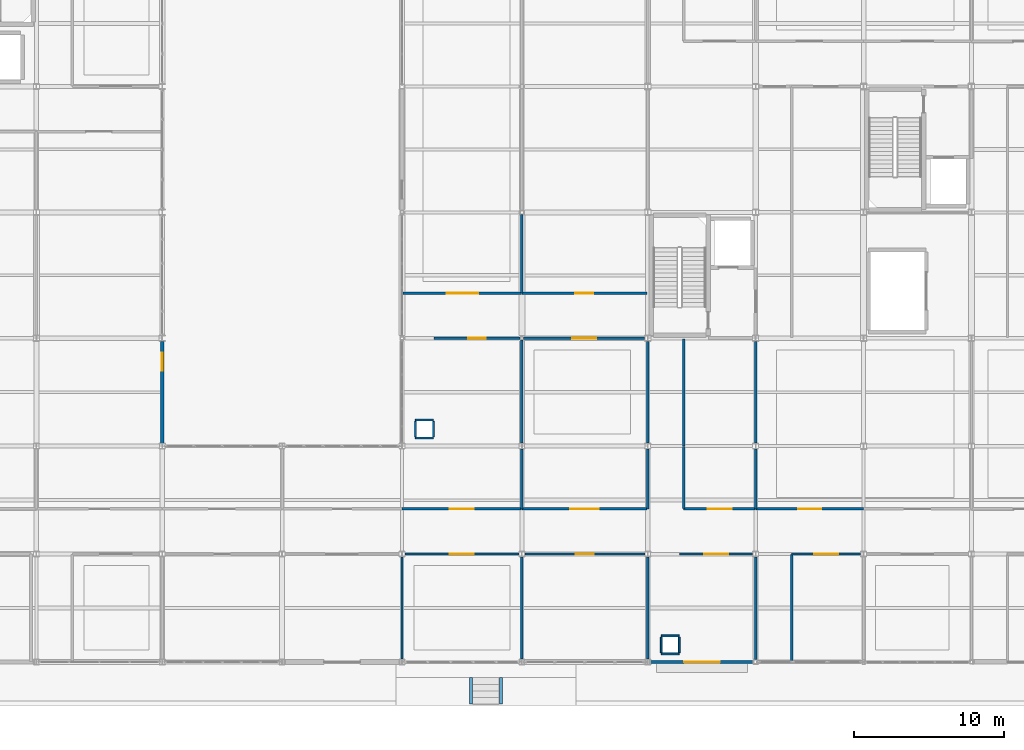
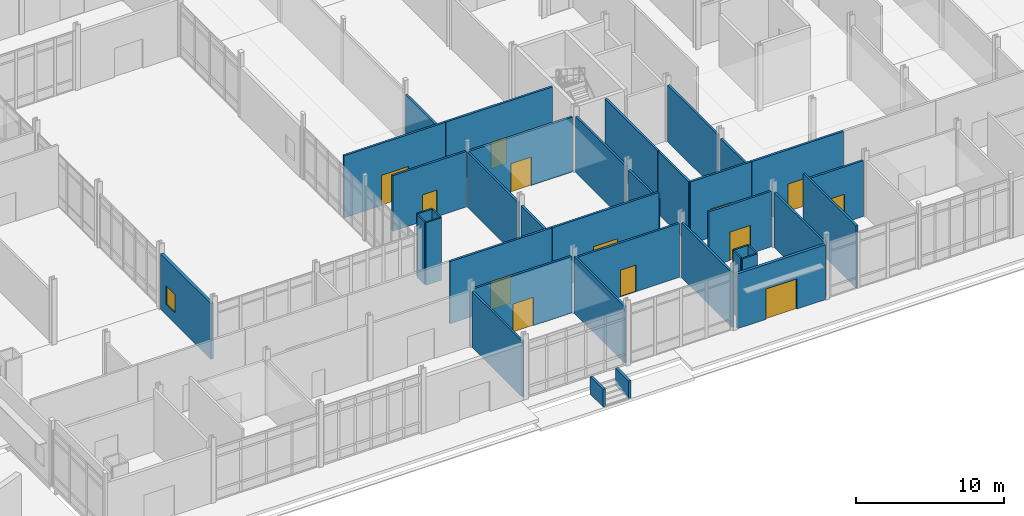
# One storey, part 192 of 229: 38 walls, 13 doors, 1 window, 14 openings.
"""IFC4 building model written with IfcOpenShell, lengths in metres."""

from ifc_helpers import new_model, si_unit, direction, frame, frame_2d, origin, place, context, subcontext, project, spatial, rectangle, extrude, material, layer, layer_set, type_object, element, fill, save


model = new_model("IFC4")

# Units and contexts
model_context = context("Model", 3, precision=1e-05, world=origin(), true_north=direction((0.0, 1.0)))
body_context = subcontext(model_context, "Body", "Model", "MODEL_VIEW")
ifc_project = project(units=[si_unit("LENGTHUNIT", "METRE"), si_unit("AREAUNIT", "SQUARE_METRE"), si_unit("VOLUMEUNIT", "CUBIC_METRE"), si_unit("PLANEANGLEUNIT", "RADIAN"), si_unit("MASSUNIT", "GRAM", prefix="KILO")], contexts=[model_context])

# Site, building, storey
site_placement = place(None, origin())
site = spatial("IfcSite", under=ifc_project, at=site_placement, CompositionType="ELEMENT")
building_placement = place(site_placement, origin())
building = spatial("IfcBuilding", under=site, at=building_placement, Name="Calvrana Isthmian Art Gallery", CompositionType="ELEMENT")
storey_placement = place(building_placement, origin())
storey = spatial("IfcBuildingStorey", under=building, at=storey_placement, Name="L00", CompositionType="ELEMENT", Elevation=0.0)

# Wall, opening, door
ifc_material_1 = material(Name="Precast concrete C40/50", Category="concrete")
ifc_layer_1 = layer(ifc_material_1, 0.219970703125, Name="Precast concrete C40/50")
ifc_layer_set_1 = layer_set([ifc_layer_1], Name="Precast concrete C40/50")
wall_type_1 = type_object("IfcWallType", Name="EW-ACOUST-220", PredefinedType="SOLIDWALL", material=ifc_layer_set_1)
wall_1_placement = place(storey_placement, frame((119.84765625, 0.0, 0.0), z_axis=(0.0, 0.0, 1.0), x_axis=(-1.0, 0.0, 0.0)))
wall_1 = element("IfcWall", 1, at=wall_1_placement, inside=storey, type_object=wall_type_1, Name="Exterior wall EW-003", PredefinedType="SOLIDWALL", context=body_context, shape_type="SweptSolid", body=[
    extrude(rectangle(XDim=6.861083984375, YDim=0.219970703125, at=frame_2d((3.4306640625, 0.0))), origin(), (0.0, 0.0, 1.0), 4.532958984375),
])
opening_1_placement = place(wall_1_placement, frame((2.230712890625, 0.0, 0.0)))
opening_1 = element("IfcOpeningElement", 2, at=opening_1_placement, cuts=wall_1, Name="Opening D-E03", PredefinedType="OPENING", context=body_context, shape_type="SweptSolid", body=[
    extrude(rectangle(XDim=2.39990234375, YDim=2.5, at=frame_2d((1.199951171875, 1.25))), frame((0.0, 0.1201171875, 0.0), z_axis=(0.0, -1.0, 0.0), x_axis=(1.0, 0.0, 0.0)), (0.0, 0.0, 1.0), 0.240478515625),
])
ifc_material_2 = material(Name="Anodized bronze aluminium 6063-T6", Category="aluminium")
door_type_1 = type_object("IfcDoorType", Name="DR-EXT-MAIN-2400", OperationType="DOUBLE_DOOR_SINGLE_SWING", PredefinedType="DOOR", material=ifc_material_2)
door_1_placement = place(opening_1_placement, origin())
door_1 = element("IfcDoor", 3, at=door_1_placement, inside=storey, type_object=door_type_1, Name="Main entrance pedestrian exit D-E03", OperationType="DOUBLE_DOOR_SINGLE_SWING", OverallHeight=2.5, OverallWidth=2.39990234375, PredefinedType="DOOR", context=body_context, shape_type="SweptSolid", body=[
    extrude(rectangle(XDim=2.39990234375, YDim=2.5, at=frame_2d((1.199951171875, 1.25))), frame((0.0, 0.02490234375, 0.0), z_axis=(0.0, -1.0, 0.0), x_axis=(1.0, 0.0, 0.0)), (0.0, 0.0, 1.0), 0.050048828125),
])
fill(opening_1, door_1)

# Wall, opening, window
wall_2_placement = place(storey_placement, frame((80.39990234375, 21.3916015625, 0.0), z_axis=(0.0, 0.0, 1.0), x_axis=(0.0, -1.0, 0.0)))
wall_2 = element("IfcWall", 4, at=wall_2_placement, inside=storey, type_object=wall_type_1, Name="Exterior wall EW-043", PredefinedType="SOLIDWALL", context=body_context, shape_type="SweptSolid", body=[
    extrude(rectangle(XDim=6.81005859375, YDim=0.219970703125, at=frame_2d((3.405029296875, 0.0))), origin(), (0.0, 0.0, 1.0), 4.60693359375),
])
opening_2_placement = place(wall_2_placement, frame((0.75, 0.0, 0.89990234375)))
opening_2 = element("IfcOpeningElement", 5, at=opening_2_placement, cuts=wall_2, Name="Opening W-014", PredefinedType="OPENING", context=body_context, shape_type="SweptSolid", body=[
    extrude(rectangle(XDim=1.199951171875, YDim=1.5, at=frame_2d((0.60009765625, 0.75))), frame((0.0, 0.1201171875, 0.0), z_axis=(0.0, -1.0, 0.0), x_axis=(1.0, 0.0, 0.0)), (0.0, 0.0, 1.0), 0.240478515625),
])
ifc_material_3 = material(Name="Low-E laminated solar glass", Category="glass")
window_type = type_object("IfcWindowType", Name="WN-G01", PartitioningType="SINGLE_PANEL", PredefinedType="WINDOW", material=ifc_material_3)
window_placement = place(opening_2_placement, origin())
window = element("IfcWindow", 6, at=window_placement, inside=storey, type_object=window_type, Name="Facade window W-014", OverallHeight=1.5, OverallWidth=1.199951171875, PartitioningType="SINGLE_PANEL", PredefinedType="WINDOW", context=body_context, shape_type="SweptSolid", body=[
    extrude(rectangle(XDim=1.199951171875, YDim=1.5, at=frame_2d((0.60009765625, 0.75))), frame((0.0, 0.030029296875, 0.0), z_axis=(0.0, -1.0, 0.0), x_axis=(1.0, 0.0, 0.0)), (0.0, 0.0, 1.0), 0.06005859375),
])
fill(opening_2, window)

# Walls
ifc_material_4 = material(Name="Acoustic gypsum ceiling", Category="gypsum")
ifc_layer_2 = layer(ifc_material_4, 0.1201171875, Name="Acoustic gypsum ceiling")
ifc_layer_set_2 = layer_set([ifc_layer_2], Name="Acoustic gypsum ceiling")
wall_type_2 = type_object("IfcWallType", Name="PW-FURR-120", PredefinedType="PARTITIONING", material=ifc_layer_set_2)
for number, where, z_axis, x_axis, name in (
    (7, (97.300048828125, 14.93994140625, 0.0), (0.0, 0.0, 1.0), (1.0, 0.0, 0.0), "MEP riser enclosure L00-3S"),
    (8, (97.300048828125, 16.139892578125, 0.0), (0.0, 0.0, 1.0), (1.0, 0.0, 0.0), "MEP riser enclosure L00-3N"),
):
    element("IfcWall", number, at=place(storey_placement, frame(where, z_axis=z_axis, x_axis=x_axis)), inside=storey, type_object=wall_type_2, Name=name, PredefinedType="PARTITIONING", context=body_context, shape_type="SweptSolid", body=[
        extrude(rectangle(XDim=1.199951171875, YDim=0.1201171875, at=frame_2d((0.60009765625, 0.0))), origin(), (0.0, 0.0, 1.0), 5.159912109375),
    ])
for number, where, z_axis, x_axis, name in (
    (9, (97.300048828125, 15.02001953125, 0.0), (0.0, 0.0, 1.0), (0.0, 1.0, 0.0), "MEP riser enclosure L00-3W"),
    (10, (98.5, 15.02001953125, 0.0), (0.0, 0.0, 1.0), (0.0, 1.0, 0.0), "MEP riser enclosure L00-3E"),
):
    element("IfcWall", number, at=place(storey_placement, frame(where, z_axis=z_axis, x_axis=x_axis)), inside=storey, type_object=wall_type_2, Name=name, PredefinedType="PARTITIONING", context=body_context, shape_type="SweptSolid", body=[
        extrude(rectangle(XDim=1.0400390625, YDim=0.1201171875, at=frame_2d((0.52001953125, 0.0))), origin(), (0.0, 0.0, 1.0), 5.159912109375),
    ])
for number, where, z_axis, x_axis, name in (
    (11, (113.699951171875, 0.5400390625, 0.0), (0.0, 0.0, 1.0), (1.0, 0.0, 0.0), "MEP riser enclosure L00-6S"),
    (12, (113.699951171875, 1.739990234375, 0.0), (0.0, 0.0, 1.0), (1.0, 0.0, 0.0), "MEP riser enclosure L00-6N"),
):
    element("IfcWall", number, at=place(storey_placement, frame(where, z_axis=z_axis, x_axis=x_axis)), inside=storey, type_object=wall_type_2, Name=name, PredefinedType="PARTITIONING", context=body_context, shape_type="SweptSolid", body=[
        extrude(rectangle(XDim=1.199951171875, YDim=0.1201171875, at=frame_2d((0.60009765625, 0.0))), origin(), (0.0, 0.0, 1.0), 5.159912109375),
    ])
for number, where, z_axis, x_axis, name in (
    (13, (113.699951171875, 0.6201171875, 0.0), (0.0, 0.0, 1.0), (0.0, 1.0, 0.0), "MEP riser enclosure L00-6W"),
    (14, (114.89990234375, 0.6201171875, 0.0), (0.0, 0.0, 1.0), (0.0, 1.0, 0.0), "MEP riser enclosure L00-6E"),
):
    element("IfcWall", number, at=place(storey_placement, frame(where, z_axis=z_axis, x_axis=x_axis)), inside=storey, type_object=wall_type_2, Name=name, PredefinedType="PARTITIONING", context=body_context, shape_type="SweptSolid", body=[
        extrude(rectangle(XDim=1.039794921875, YDim=0.1201171875, at=frame_2d((0.52001953125, 0.0))), origin(), (0.0, 0.0, 1.0), 5.159912109375),
    ])
ifc_layer_3 = layer(ifc_material_4, 0.159912109375, Name="Acoustic gypsum ceiling")
ifc_layer_set_3 = layer_set([ifc_layer_3], Name="Acoustic gypsum ceiling")
wall_type_3 = type_object("IfcWallType", Name="PW-GAL-160", PredefinedType="PARTITIONING", material=ifc_layer_set_3)
wall_3_placement = place(storey_placement, frame((96.39990234375, 0.196533203125, 0.0), z_axis=(0.0, 0.0, 1.0), x_axis=(0.0, 1.0, 0.0)))
element("IfcWall", 15, at=wall_3_placement, inside=storey, type_object=wall_type_3, Name="Interior partition PW-115", PredefinedType="PARTITIONING", context=body_context, shape_type="SweptSolid", body=[
    extrude(rectangle(XDim=6.804443359375, YDim=0.159912109375, at=frame_2d((3.40234375, 0.0))), origin(), (0.0, 0.0, 1.0), 4.60693359375),
])

# Wall, opening, door
wall_4_placement = place(storey_placement, frame((96.6015625, 7.199951171875, 0.0), z_axis=(0.0, 0.0, 1.0), x_axis=(1.0, 0.0, 0.0)))
wall_4 = element("IfcWall", 16, at=wall_4_placement, inside=storey, type_object=wall_type_3, Name="Interior partition PW-116", PredefinedType="PARTITIONING", context=body_context, shape_type="SweptSolid", body=[
    extrude(rectangle(XDim=7.597900390625, YDim=0.159912109375, at=frame_2d((3.798828125, 0.0))), origin(), (0.0, 0.0, 1.0), 4.677978515625),
])
opening_3_placement = place(wall_4_placement, frame((2.9990234375, 0.0, 0.0)))
opening_3 = element("IfcOpeningElement", 17, at=opening_3_placement, cuts=wall_4, Name="Opening D-254", PredefinedType="OPENING", context=body_context, shape_type="SweptSolid", body=[
    extrude(rectangle(XDim=1.60009765625, YDim=2.35009765625, at=frame_2d((0.800048828125, 1.175048828125))), frame((0.0, 0.09033203125, 0.0), z_axis=(0.0, -1.0, 0.0), x_axis=(1.0, 0.0, 0.0)), (0.0, 0.0, 1.0), 0.180419921875),
])
ifc_material_5 = material(Name="Timber gallery flooring", Category="wood")
door_type_2 = type_object("IfcDoorType", Name="DR-GAL-1600", OperationType="DOUBLE_DOOR_SINGLE_SWING", PredefinedType="DOOR", material=ifc_material_5)
door_2_placement = place(opening_3_placement, origin())
door_2 = element("IfcDoor", 18, at=door_2_placement, inside=storey, type_object=door_type_2, Name="Interior door D-254", OperationType="DOUBLE_DOOR_SINGLE_SWING", OverallHeight=2.35009765625, OverallWidth=1.60009765625, PredefinedType="DOOR", context=body_context, shape_type="SweptSolid", body=[
    extrude(rectangle(XDim=1.60009765625, YDim=2.35009765625, at=frame_2d((0.800048828125, 1.175048828125))), frame((0.0, 0.02490234375, 0.0), z_axis=(0.0, -1.0, 0.0), x_axis=(1.0, 0.0, 0.0)), (0.0, 0.0, 1.0), 0.050048828125),
])
fill(opening_3, door_2)

# Wall
wall_5_placement = place(storey_placement, frame((104.39990234375, 0.193115234375, 0.0), z_axis=(0.0, 0.0, 1.0), x_axis=(0.0, 1.0, 0.0)))
element("IfcWall", 19, at=wall_5_placement, inside=storey, type_object=wall_type_3, Name="Interior partition PW-117", PredefinedType="PARTITIONING", context=body_context, shape_type="SweptSolid", body=[
    extrude(rectangle(XDim=6.810302734375, YDim=0.159912109375, at=frame_2d((3.4052734375, 0.0))), origin(), (0.0, 0.0, 1.0), 4.677978515625),
])

# Wall, opening, door
wall_6_placement = place(storey_placement, frame((104.6005859375, 7.199951171875, 0.0), z_axis=(0.0, 0.0, 1.0), x_axis=(1.0, 0.0, 0.0)))
wall_6 = element("IfcWall", 20, at=wall_6_placement, inside=storey, type_object=wall_type_3, Name="Interior partition PW-118", PredefinedType="PARTITIONING", context=body_context, shape_type="SweptSolid", body=[
    extrude(rectangle(XDim=8.00048828125, YDim=0.159912109375, at=frame_2d((4.000244140625, 0.0))), origin(), (0.0, 0.0, 1.0), 4.447021484375),
])
opening_4_placement = place(wall_6_placement, frame((3.400390625, 0.0, 0.0)))
opening_4 = element("IfcOpeningElement", 21, at=opening_4_placement, cuts=wall_6, Name="Opening D-255", PredefinedType="OPENING", context=body_context, shape_type="SweptSolid", body=[
    extrude(rectangle(XDim=1.199951171875, YDim=2.199951171875, at=frame_2d((0.60009765625, 1.10009765625))), frame((0.0, 0.09033203125, 0.0), z_axis=(0.0, -1.0, 0.0), x_axis=(1.0, 0.0, 0.0)), (0.0, 0.0, 1.0), 0.180419921875),
])
door_type_3 = type_object("IfcDoorType", Name="DR-RM-1200", OperationType="NOTDEFINED", PredefinedType="DOOR", material=ifc_material_5)
door_3_placement = place(opening_4_placement, origin())
door_3 = element("IfcDoor", 22, at=door_3_placement, inside=storey, type_object=door_type_3, Name="Interior door D-255", OperationType="SINGLE_SWING_RIGHT", OverallHeight=2.199951171875, OverallWidth=1.199951171875, PredefinedType="DOOR", context=body_context, shape_type="SweptSolid", body=[
    extrude(rectangle(XDim=1.199951171875, YDim=2.199951171875, at=frame_2d((0.60009765625, 1.10009765625))), frame((0.0, 0.02490234375, 0.0), z_axis=(0.0, -1.0, 0.0), x_axis=(1.0, 0.0, 0.0)), (0.0, 0.0, 1.0), 0.050048828125),
])
fill(opening_4, door_3)

# Wall
wall_7_placement = place(storey_placement, frame((112.800048828125, 0.201416015625, 0.0), z_axis=(0.0, 0.0, 1.0), x_axis=(0.0, 1.0, 0.0)))
element("IfcWall", 23, at=wall_7_placement, inside=storey, type_object=wall_type_3, Name="Interior partition PW-119", PredefinedType="PARTITIONING", context=body_context, shape_type="SweptSolid", body=[
    extrude(rectangle(XDim=6.8056640625, YDim=0.159912109375, at=frame_2d((3.40283203125, 0.0))), origin(), (0.0, 0.0, 1.0), 4.528076171875),
])

# Wall, opening, door
wall_8_placement = place(storey_placement, frame((96.409912109375, 10.2099609375, 0.0), z_axis=(0.0, 0.0, 1.0), x_axis=(1.0, 0.0, 0.0)))
wall_8 = element("IfcWall", 24, at=wall_8_placement, inside=storey, type_object=wall_type_3, Name="Interior partition PW-126", PredefinedType="PARTITIONING", context=body_context, shape_type="SweptSolid", body=[
    extrude(rectangle(XDim=7.97998046875, YDim=0.159912109375, at=frame_2d((3.989990234375, 0.0))), origin(), (0.0, 0.0, 1.0), 5.139892578125),
])
opening_5_placement = place(wall_8_placement, frame((3.18994140625, 0.0, 0.0)))
opening_5 = element("IfcOpeningElement", 25, at=opening_5_placement, cuts=wall_8, Name="Opening D-260", PredefinedType="OPENING", context=body_context, shape_type="SweptSolid", body=[
    extrude(rectangle(XDim=1.60009765625, YDim=2.35009765625, at=frame_2d((0.800048828125, 1.175048828125))), frame((0.0, 0.09033203125, 0.0), z_axis=(0.0, -1.0, 0.0), x_axis=(1.0, 0.0, 0.0)), (0.0, 0.0, 1.0), 0.180419921875),
])
door_4_placement = place(opening_5_placement, origin())
door_4 = element("IfcDoor", 26, at=door_4_placement, inside=storey, type_object=door_type_2, Name="Interior door D-260", OperationType="DOUBLE_DOOR_SINGLE_SWING", OverallHeight=2.35009765625, OverallWidth=1.60009765625, PredefinedType="DOOR", context=body_context, shape_type="SweptSolid", body=[
    extrude(rectangle(XDim=1.60009765625, YDim=2.35009765625, at=frame_2d((0.800048828125, 1.175048828125))), frame((0.0, 0.02490234375, 0.0), z_axis=(0.0, -1.0, 0.0), x_axis=(1.0, 0.0, 0.0)), (0.0, 0.0, 1.0), 0.050048828125),
])
fill(opening_5, door_4)

# Wall
wall_9_placement = place(storey_placement, frame((104.39990234375, 10.219970703125, 0.0), z_axis=(0.0, 0.0, 1.0), x_axis=(0.0, 1.0, 0.0)))
element("IfcWall", 27, at=wall_9_placement, inside=storey, type_object=wall_type_3, Name="Interior partition PW-127", PredefinedType="PARTITIONING", context=body_context, shape_type="SweptSolid", body=[
    extrude(rectangle(XDim=3.98095703125, YDim=0.159912109375, at=frame_2d((1.990478515625, 0.0))), origin(), (0.0, 0.0, 1.0), 4.528076171875),
])

# Wall, opening, door
wall_10_placement = place(storey_placement, frame((104.409912109375, 10.2099609375, 0.0), z_axis=(0.0, 0.0, 1.0), x_axis=(1.0, 0.0, 0.0)))
wall_10 = element("IfcWall", 28, at=wall_10_placement, inside=storey, type_object=wall_type_3, Name="Interior partition PW-128", PredefinedType="PARTITIONING", context=body_context, shape_type="SweptSolid", body=[
    extrude(rectangle(XDim=8.330078125, YDim=0.159912109375, at=frame_2d((4.1650390625, 0.0))), origin(), (0.0, 0.0, 1.0), 5.139892578125),
])
opening_6_placement = place(wall_10_placement, frame((3.215087890625, 0.0, 0.0)))
opening_6 = element("IfcOpeningElement", 29, at=opening_6_placement, cuts=wall_10, Name="Opening D-261", PredefinedType="OPENING", context=body_context, shape_type="SweptSolid", body=[
    extrude(rectangle(XDim=1.89990234375, YDim=2.449951171875, at=frame_2d((0.949951171875, 1.22509765625))), frame((0.0, 0.09033203125, 0.0), z_axis=(0.0, -1.0, 0.0), x_axis=(1.0, 0.0, 0.0)), (0.0, 0.0, 1.0), 0.180419921875),
])
door_type_4 = type_object("IfcDoorType", Name="DR-GAL-1900", OperationType="DOUBLE_DOOR_SINGLE_SWING", PredefinedType="DOOR", material=ifc_material_5)
door_5_placement = place(opening_6_placement, origin())
door_5 = element("IfcDoor", 30, at=door_5_placement, inside=storey, type_object=door_type_4, Name="Interior door D-261", OperationType="DOUBLE_DOOR_SINGLE_SWING", OverallHeight=2.449951171875, OverallWidth=1.89990234375, PredefinedType="DOOR", context=body_context, shape_type="SweptSolid", body=[
    extrude(rectangle(XDim=1.89990234375, YDim=2.449951171875, at=frame_2d((0.949951171875, 1.22509765625))), frame((0.0, 0.02490234375, 0.0), z_axis=(0.0, -1.0, 0.0), x_axis=(1.0, 0.0, 0.0)), (0.0, 0.0, 1.0), 0.050048828125),
])
fill(opening_6, door_5)

# Wall
wall_11_placement = place(storey_placement, frame((112.800048828125, 10.219970703125, 0.0), z_axis=(0.0, 0.0, 1.0), x_axis=(0.0, 1.0, 0.0)))
element("IfcWall", 31, at=wall_11_placement, inside=storey, type_object=wall_type_3, Name="Interior partition PW-129", PredefinedType="PARTITIONING", context=body_context, shape_type="SweptSolid", body=[
    extrude(rectangle(XDim=3.97705078125, YDim=0.159912109375, at=frame_2d((1.988525390625, 0.0))), origin(), (0.0, 0.0, 1.0), 4.532958984375),
])

# Wall, opening, door
wall_12_placement = place(storey_placement, frame((98.52001953125, 21.60009765625, 0.0), z_axis=(0.0, 0.0, 1.0), x_axis=(1.0, 0.0, 0.0)))
wall_12 = element("IfcWall", 32, at=wall_12_placement, inside=storey, type_object=wall_type_3, Name="Interior partition PW-130", PredefinedType="PARTITIONING", context=body_context, shape_type="SweptSolid", body=[
    extrude(rectangle(XDim=5.763427734375, YDim=0.159912109375, at=frame_2d((2.8818359375, 0.0))), origin(), (0.0, 0.0, 1.0), 4.591064453125),
])
opening_7_placement = place(wall_12_placement, frame((2.306640625, 0.0, 0.0)))
opening_7 = element("IfcOpeningElement", 33, at=opening_7_placement, cuts=wall_12, Name="Opening D-262", PredefinedType="OPENING", context=body_context, shape_type="SweptSolid", body=[
    extrude(rectangle(XDim=1.14990234375, YDim=2.199951171875, at=frame_2d((0.574951171875, 1.10009765625))), frame((0.0, 0.09033203125, 0.0), z_axis=(0.0, -1.0, 0.0), x_axis=(1.0, 0.0, 0.0)), (0.0, 0.0, 1.0), 0.180419921875),
])
door_type_5 = type_object("IfcDoorType", Name="DR-RM-1150", OperationType="NOTDEFINED", PredefinedType="DOOR", material=ifc_material_5)
door_6_placement = place(opening_7_placement, origin())
door_6 = element("IfcDoor", 34, at=door_6_placement, inside=storey, type_object=door_type_5, Name="Interior door D-262", OperationType="SINGLE_SWING_RIGHT", OverallHeight=2.199951171875, OverallWidth=1.14990234375, PredefinedType="DOOR", context=body_context, shape_type="SweptSolid", body=[
    extrude(rectangle(XDim=1.14990234375, YDim=2.199951171875, at=frame_2d((0.574951171875, 1.10009765625))), frame((0.0, 0.02490234375, 0.0), z_axis=(0.0, -1.0, 0.0), x_axis=(1.0, 0.0, 0.0)), (0.0, 0.0, 1.0), 0.050048828125),
])
fill(opening_7, door_6)

# Wall
wall_13_placement = place(storey_placement, frame((104.39990234375, 14.59912109375, 0.0), z_axis=(0.0, 0.0, 1.0), x_axis=(0.0, 1.0, 0.0)))
element("IfcWall", 35, at=wall_13_placement, inside=storey, type_object=wall_type_3, Name="Interior partition PW-131", PredefinedType="PARTITIONING", context=body_context, shape_type="SweptSolid", body=[
    extrude(rectangle(XDim=6.88427734375, YDim=0.159912109375, at=frame_2d((3.442138671875, 0.0))), origin(), (0.0, 0.0, 1.0), 4.532958984375),
])

# Wall, opening, door
wall_14_placement = place(storey_placement, frame((104.5166015625, 21.60009765625, 0.0), z_axis=(0.0, 0.0, 1.0), x_axis=(1.0, 0.0, 0.0)))
wall_14 = element("IfcWall", 36, at=wall_14_placement, inside=storey, type_object=wall_type_3, Name="Interior partition PW-132", PredefinedType="PARTITIONING", context=body_context, shape_type="SweptSolid", body=[
    extrude(rectangle(XDim=8.06884765625, YDim=0.159912109375, at=frame_2d((4.034423828125, 0.0))), origin(), (0.0, 0.0, 1.0), 4.528076171875),
])
opening_8_placement = place(wall_14_placement, frame((3.234375, 0.0, 0.0)))
opening_8 = element("IfcOpeningElement", 37, at=opening_8_placement, cuts=wall_14, Name="Opening D-263", PredefinedType="OPENING", context=body_context, shape_type="SweptSolid", body=[
    extrude(rectangle(XDim=1.60009765625, YDim=2.35009765625, at=frame_2d((0.800048828125, 1.175048828125))), frame((0.0, 0.09033203125, 0.0), z_axis=(0.0, -1.0, 0.0), x_axis=(1.0, 0.0, 0.0)), (0.0, 0.0, 1.0), 0.180419921875),
])
door_7_placement = place(opening_8_placement, origin())
door_7 = element("IfcDoor", 38, at=door_7_placement, inside=storey, type_object=door_type_2, Name="Interior door D-263", OperationType="DOUBLE_DOOR_SINGLE_SWING", OverallHeight=2.35009765625, OverallWidth=1.60009765625, PredefinedType="DOOR", context=body_context, shape_type="SweptSolid", body=[
    extrude(rectangle(XDim=1.60009765625, YDim=2.35009765625, at=frame_2d((0.800048828125, 1.175048828125))), frame((0.0, 0.02490234375, 0.0), z_axis=(0.0, -1.0, 0.0), x_axis=(1.0, 0.0, 0.0)), (0.0, 0.0, 1.0), 0.050048828125),
])
fill(opening_8, door_7)

# Wall
wall_15_placement = place(storey_placement, frame((112.800048828125, 14.60302734375, 0.0), z_axis=(0.0, 0.0, 1.0), x_axis=(0.0, 1.0, 0.0)))
element("IfcWall", 39, at=wall_15_placement, inside=storey, type_object=wall_type_3, Name="Interior partition PW-133", PredefinedType="PARTITIONING", context=body_context, shape_type="SweptSolid", body=[
    extrude(rectangle(XDim=6.784912109375, YDim=0.159912109375, at=frame_2d((3.392578125, 0.0))), origin(), (0.0, 0.0, 1.0), 4.60693359375),
])

# Wall, opening, door
wall_16_placement = place(storey_placement, frame((96.4599609375, 24.610107421875, 0.0), z_axis=(0.0, 0.0, 1.0), x_axis=(1.0, 0.0, 0.0)))
wall_16 = element("IfcWall", 40, at=wall_16_placement, inside=storey, type_object=wall_type_3, Name="Interior partition PW-134", PredefinedType="PARTITIONING", context=body_context, shape_type="SweptSolid", body=[
    extrude(rectangle(XDim=7.929931640625, YDim=0.159912109375, at=frame_2d((3.96484375, 0.0))), origin(), (0.0, 0.0, 1.0), 5.139892578125),
])
opening_9_placement = place(wall_16_placement, frame((2.9150390625, 0.0, 0.0)))
opening_9 = element("IfcOpeningElement", 41, at=opening_9_placement, cuts=wall_16, Name="Opening D-264", PredefinedType="OPENING", context=body_context, shape_type="SweptSolid", body=[
    extrude(rectangle(XDim=2.10009765625, YDim=2.5, at=frame_2d((1.050048828125, 1.25))), frame((0.0, 0.09033203125, 0.0), z_axis=(0.0, -1.0, 0.0), x_axis=(1.0, 0.0, 0.0)), (0.0, 0.0, 1.0), 0.180419921875),
])
door_type_6 = type_object("IfcDoorType", Name="DR-GAL-2100", OperationType="DOUBLE_DOOR_SINGLE_SWING", PredefinedType="DOOR", material=ifc_material_5)
door_8_placement = place(opening_9_placement, origin())
door_8 = element("IfcDoor", 42, at=door_8_placement, inside=storey, type_object=door_type_6, Name="Interior door D-264", OperationType="DOUBLE_DOOR_SINGLE_SWING", OverallHeight=2.5, OverallWidth=2.10009765625, PredefinedType="DOOR", context=body_context, shape_type="SweptSolid", body=[
    extrude(rectangle(XDim=2.10009765625, YDim=2.5, at=frame_2d((1.050048828125, 1.25))), frame((0.0, 0.02490234375, 0.0), z_axis=(0.0, -1.0, 0.0), x_axis=(1.0, 0.0, 0.0)), (0.0, 0.0, 1.0), 0.050048828125),
])
fill(opening_9, door_8)

# Wall
wall_17_placement = place(storey_placement, frame((104.39990234375, 24.6201171875, 0.0), z_axis=(0.0, 0.0, 1.0), x_axis=(0.0, 1.0, 0.0)))
element("IfcWall", 43, at=wall_17_placement, inside=storey, type_object=wall_type_3, Name="Interior partition PW-135", PredefinedType="PARTITIONING", context=body_context, shape_type="SweptSolid", body=[
    extrude(rectangle(XDim=5.23779296875, YDim=0.159912109375, at=frame_2d((2.618896484375, 0.0))), origin(), (0.0, 0.0, 1.0), 4.212890625),
])

# Wall, opening, door
wall_18_placement = place(storey_placement, frame((104.409912109375, 24.610107421875, 0.0), z_axis=(0.0, 0.0, 1.0), x_axis=(1.0, 0.0, 0.0)))
wall_18 = element("IfcWall", 44, at=wall_18_placement, inside=storey, type_object=wall_type_3, Name="Interior partition PW-138", PredefinedType="PARTITIONING", context=body_context, shape_type="SweptSolid", body=[
    extrude(rectangle(XDim=8.330078125, YDim=0.159912109375, at=frame_2d((4.1650390625, 0.0))), origin(), (0.0, 0.0, 1.0), 5.139892578125),
])
opening_10_placement = place(wall_18_placement, frame((3.56494140625, 0.0, 0.0)))
opening_10 = element("IfcOpeningElement", 45, at=opening_10_placement, cuts=wall_18, Name="Opening D-265", PredefinedType="OPENING", context=body_context, shape_type="SweptSolid", body=[
    extrude(rectangle(XDim=1.199951171875, YDim=2.199951171875, at=frame_2d((0.60009765625, 1.10009765625))), frame((0.0, 0.09033203125, 0.0), z_axis=(0.0, -1.0, 0.0), x_axis=(1.0, 0.0, 0.0)), (0.0, 0.0, 1.0), 0.180419921875),
])
door_9_placement = place(opening_10_placement, origin())
door_9 = element("IfcDoor", 46, at=door_9_placement, inside=storey, type_object=door_type_3, Name="Interior door D-265", OperationType="SINGLE_SWING_LEFT", OverallHeight=2.199951171875, OverallWidth=1.199951171875, PredefinedType="DOOR", context=body_context, shape_type="SweptSolid", body=[
    extrude(rectangle(XDim=1.199951171875, YDim=2.199951171875, at=frame_2d((0.60009765625, 1.10009765625))), frame((0.0, 0.02490234375, 0.0), z_axis=(0.0, -1.0, 0.0), x_axis=(1.0, 0.0, 0.0)), (0.0, 0.0, 1.0), 0.050048828125),
])
fill(opening_10, door_9)

wall_19_placement = place(storey_placement, frame((114.919921875, 7.199951171875, 0.0), z_axis=(0.0, 0.0, 1.0), x_axis=(1.0, 0.0, 0.0)))
wall_19 = element("IfcWall", 47, at=wall_19_placement, inside=storey, type_object=wall_type_3, Name="Interior partition PW-179", PredefinedType="PARTITIONING", context=body_context, shape_type="SweptSolid", body=[
    extrude(rectangle(XDim=4.878662109375, YDim=0.159912109375, at=frame_2d((2.439453125, 0.0))), origin(), (0.0, 0.0, 1.0), 4.591064453125),
])
opening_11_placement = place(wall_19_placement, frame((1.639404296875, 0.0, 0.0)))
opening_11 = element("IfcOpeningElement", 48, at=opening_11_placement, cuts=wall_19, Name="Opening D-285", PredefinedType="OPENING", context=body_context, shape_type="SweptSolid", body=[
    extrude(rectangle(XDim=1.60009765625, YDim=2.35009765625, at=frame_2d((0.800048828125, 1.175048828125))), frame((0.0, 0.09033203125, 0.0), z_axis=(0.0, -1.0, 0.0), x_axis=(1.0, 0.0, 0.0)), (0.0, 0.0, 1.0), 0.180419921875),
])
door_10_placement = place(opening_11_placement, origin())
door_10 = element("IfcDoor", 49, at=door_10_placement, inside=storey, type_object=door_type_2, Name="Interior door D-285", OperationType="DOUBLE_DOOR_SINGLE_SWING", OverallHeight=2.35009765625, OverallWidth=1.60009765625, PredefinedType="DOOR", context=body_context, shape_type="SweptSolid", body=[
    extrude(rectangle(XDim=1.60009765625, YDim=2.35009765625, at=frame_2d((0.800048828125, 1.175048828125))), frame((0.0, 0.02490234375, 0.0), z_axis=(0.0, -1.0, 0.0), x_axis=(1.0, 0.0, 0.0)), (0.0, 0.0, 1.0), 0.050048828125),
])
fill(opening_11, door_10)

# Walls
wall_20_placement = place(storey_placement, frame((120.0, 0.16748046875, 0.0), z_axis=(0.0, 0.0, 1.0), x_axis=(0.0, 1.0, 0.0)))
element("IfcWall", 50, at=wall_20_placement, inside=storey, type_object=wall_type_3, Name="Interior partition PW-180", PredefinedType="PARTITIONING", context=body_context, shape_type="SweptSolid", body=[
    extrude(rectangle(XDim=6.8310546875, YDim=0.159912109375, at=frame_2d((3.41552734375, 0.0))), origin(), (0.0, 0.0, 1.0), 4.532958984375),
])
wall_21_placement = place(storey_placement, frame((122.39990234375, 0.0400390625, 0.0), z_axis=(0.0, 0.0, 1.0), x_axis=(0.0, 1.0, 0.0)))
element("IfcWall", 51, at=wall_21_placement, inside=storey, type_object=wall_type_3, Name="Interior partition PW-181", PredefinedType="PARTITIONING", context=body_context, shape_type="SweptSolid", body=[
    extrude(rectangle(XDim=7.139892578125, YDim=0.159912109375, at=frame_2d((3.56982421875, 0.0))), origin(), (0.0, 0.0, 1.0), 5.139892578125),
])

# Wall, opening, door
wall_22_placement = place(storey_placement, frame((122.39990234375, 7.199951171875, 0.0), z_axis=(0.0, 0.0, 1.0), x_axis=(1.0, 0.0, 0.0)))
wall_22 = element("IfcWall", 52, at=wall_22_placement, inside=storey, type_object=wall_type_3, Name="Interior partition PW-182", PredefinedType="PARTITIONING", context=body_context, shape_type="SweptSolid", body=[
    extrude(rectangle(XDim=4.5986328125, YDim=0.159912109375, at=frame_2d((2.29931640625, 0.0))), origin(), (0.0, 0.0, 1.0), 4.60693359375),
])
opening_12_placement = place(wall_22_placement, frame((1.499267578125, 0.0, 0.0)))
opening_12 = element("IfcOpeningElement", 53, at=opening_12_placement, cuts=wall_22, Name="Opening D-286", PredefinedType="OPENING", context=body_context, shape_type="SweptSolid", body=[
    extrude(rectangle(XDim=1.60009765625, YDim=2.35009765625, at=frame_2d((0.800048828125, 1.175048828125))), frame((0.0, 0.09033203125, 0.0), z_axis=(0.0, -1.0, 0.0), x_axis=(1.0, 0.0, 0.0)), (0.0, 0.0, 1.0), 0.180419921875),
])
door_11_placement = place(opening_12_placement, origin())
door_11 = element("IfcDoor", 54, at=door_11_placement, inside=storey, type_object=door_type_2, Name="Interior door D-286", OperationType="DOUBLE_DOOR_SINGLE_SWING", OverallHeight=2.35009765625, OverallWidth=1.60009765625, PredefinedType="DOOR", context=body_context, shape_type="SweptSolid", body=[
    extrude(rectangle(XDim=1.60009765625, YDim=2.35009765625, at=frame_2d((0.800048828125, 1.175048828125))), frame((0.0, 0.02490234375, 0.0), z_axis=(0.0, -1.0, 0.0), x_axis=(1.0, 0.0, 0.0)), (0.0, 0.0, 1.0), 0.050048828125),
])
fill(opening_12, door_11)

# Walls
wall_23_placement = place(storey_placement, frame((115.199951171875, 10.22998046875, 0.0), z_axis=(0.0, 0.0, 1.0), x_axis=(0.0, 1.0, 0.0)))
element("IfcWall", 55, at=wall_23_placement, inside=storey, type_object=wall_type_3, Name="Interior partition PW-193", PredefinedType="PARTITIONING", context=body_context, shape_type="SweptSolid", body=[
    extrude(rectangle(XDim=4.14990234375, YDim=0.159912109375, at=frame_2d((2.074951171875, 0.0))), origin(), (0.0, 0.0, 1.0), 5.139892578125),
])
wall_24_placement = place(storey_placement, frame((115.199951171875, 14.419921875, 0.0), z_axis=(0.0, 0.0, 1.0), x_axis=(0.0, 1.0, 0.0)))
element("IfcWall", 56, at=wall_24_placement, inside=storey, type_object=wall_type_3, Name="Interior partition PW-194", PredefinedType="PARTITIONING", context=body_context, shape_type="SweptSolid", body=[
    extrude(rectangle(XDim=7.14013671875, YDim=0.159912109375, at=frame_2d((3.570068359375, 0.0))), origin(), (0.0, 0.0, 1.0), 5.139892578125),
])

# Wall, opening, door
wall_25_placement = place(storey_placement, frame((115.199951171875, 10.2099609375, 0.0), z_axis=(0.0, 0.0, 1.0), x_axis=(1.0, 0.0, 0.0)))
wall_25 = element("IfcWall", 57, at=wall_25_placement, inside=storey, type_object=wall_type_3, Name="Interior partition PW-195", PredefinedType="PARTITIONING", context=body_context, shape_type="SweptSolid", body=[
    extrude(rectangle(XDim=4.7900390625, YDim=0.159912109375, at=frame_2d((2.39501953125, 0.0))), origin(), (0.0, 0.0, 1.0), 5.139892578125),
])
opening_13_placement = place(wall_25_placement, frame((1.594970703125, 0.0, 0.0)))
opening_13 = element("IfcOpeningElement", 58, at=opening_13_placement, cuts=wall_25, Name="Opening D-292", PredefinedType="OPENING", context=body_context, shape_type="SweptSolid", body=[
    extrude(rectangle(XDim=1.60009765625, YDim=2.35009765625, at=frame_2d((0.800048828125, 1.175048828125))), frame((0.0, 0.09033203125, 0.0), z_axis=(0.0, -1.0, 0.0), x_axis=(1.0, 0.0, 0.0)), (0.0, 0.0, 1.0), 0.180419921875),
])
door_12_placement = place(opening_13_placement, origin())
door_12 = element("IfcDoor", 59, at=door_12_placement, inside=storey, type_object=door_type_2, Name="Interior door D-292", OperationType="DOUBLE_DOOR_SINGLE_SWING", OverallHeight=2.35009765625, OverallWidth=1.60009765625, PredefinedType="DOOR", context=body_context, shape_type="SweptSolid", body=[
    extrude(rectangle(XDim=1.60009765625, YDim=2.35009765625, at=frame_2d((0.800048828125, 1.175048828125))), frame((0.0, 0.02490234375, 0.0), z_axis=(0.0, -1.0, 0.0), x_axis=(1.0, 0.0, 0.0)), (0.0, 0.0, 1.0), 0.050048828125),
])
fill(opening_13, door_12)

# Walls
wall_26_placement = place(storey_placement, frame((120.0, 10.219970703125, 0.0), z_axis=(0.0, 0.0, 1.0), x_axis=(0.0, 1.0, 0.0)))
element("IfcWall", 60, at=wall_26_placement, inside=storey, type_object=wall_type_3, Name="Interior partition PW-196", PredefinedType="PARTITIONING", context=body_context, shape_type="SweptSolid", body=[
    extrude(rectangle(XDim=3.978515625, YDim=0.159912109375, at=frame_2d((1.9892578125, 0.0))), origin(), (0.0, 0.0, 1.0), 4.60693359375),
])
wall_27_placement = place(storey_placement, frame((120.0, 14.6015625, 0.0), z_axis=(0.0, 0.0, 1.0), x_axis=(0.0, 1.0, 0.0)))
element("IfcWall", 61, at=wall_27_placement, inside=storey, type_object=wall_type_3, Name="Interior partition PW-197", PredefinedType="PARTITIONING", context=body_context, shape_type="SweptSolid", body=[
    extrude(rectangle(XDim=6.77490234375, YDim=0.159912109375, at=frame_2d((3.387451171875, 0.0))), origin(), (0.0, 0.0, 1.0), 4.677978515625),
])

# Wall, opening, door
wall_28_placement = place(storey_placement, frame((120.010009765625, 10.2099609375, 0.0), z_axis=(0.0, 0.0, 1.0), x_axis=(1.0, 0.0, 0.0)))
wall_28 = element("IfcWall", 62, at=wall_28_placement, inside=storey, type_object=wall_type_3, Name="Interior partition PW-198", PredefinedType="PARTITIONING", context=body_context, shape_type="SweptSolid", body=[
    extrude(rectangle(XDim=7.179931640625, YDim=0.159912109375, at=frame_2d((3.58984375, 0.0))), origin(), (0.0, 0.0, 1.0), 5.139892578125),
])
opening_14_placement = place(wall_28_placement, frame((2.81494140625, 0.0, 0.0)))
opening_14 = element("IfcOpeningElement", 63, at=opening_14_placement, cuts=wall_28, Name="Opening D-293", PredefinedType="OPENING", context=body_context, shape_type="SweptSolid", body=[
    extrude(rectangle(XDim=1.550048828125, YDim=2.300048828125, at=frame_2d((0.77490234375, 1.14990234375))), frame((0.0, 0.09033203125, 0.0), z_axis=(0.0, -1.0, 0.0), x_axis=(1.0, 0.0, 0.0)), (0.0, 0.0, 1.0), 0.180419921875),
])
door_type_7 = type_object("IfcDoorType", Name="DR-AUD-1550", OperationType="DOUBLE_DOOR_SINGLE_SWING", PredefinedType="DOOR", material=ifc_material_5)
door_13_placement = place(opening_14_placement, origin())
door_13 = element("IfcDoor", 64, at=door_13_placement, inside=storey, type_object=door_type_7, Name="Interior door D-293", OperationType="DOUBLE_DOOR_SINGLE_SWING", OverallHeight=2.300048828125, OverallWidth=1.550048828125, PredefinedType="DOOR", context=body_context, shape_type="SweptSolid", body=[
    extrude(rectangle(XDim=1.550048828125, YDim=2.300048828125, at=frame_2d((0.77490234375, 1.14990234375))), frame((0.0, 0.02490234375, 0.0), z_axis=(0.0, -1.0, 0.0), x_axis=(1.0, 0.0, 0.0)), (0.0, 0.0, 1.0), 0.050048828125),
])
fill(opening_14, door_13)

# Walls
ifc_material_6 = material(Name="Pale Isthmian limestone", Category="masonry")
ifc_layer_4 = layer(ifc_material_6, 0.199951171875, Name="Pale Isthmian limestone")
ifc_layer_set_4 = layer_set([ifc_layer_4], Name="Pale Isthmian limestone")
wall_type_4 = type_object("IfcWallType", Name="WL-PARA-200", PredefinedType="PARAPET", material=ifc_layer_set_4)
for number, where, z_axis, x_axis, name in (
    (65, (101.010009765625, -2.81005859375, -0.60009765625), (0.0, 0.0, 1.0), (0.0, 1.0, 0.0), "Exterior terrace plinth cheek parapet L"),
    (66, (102.989990234375, -2.81005859375, -0.60009765625), (0.0, 0.0, 1.0), (0.0, 1.0, 0.0), "Exterior terrace plinth cheek parapet R"),
):
    element("IfcWall", number, at=place(storey_placement, frame(where, z_axis=z_axis, x_axis=x_axis)), inside=storey, type_object=wall_type_4, Name=name, PredefinedType="PARAPET", context=body_context, shape_type="SweptSolid", body=[
        extrude(rectangle(XDim=1.760009765625, YDim=0.199951171875, at=frame_2d((0.8798828125, 0.0))), origin(), (0.0, 0.0, 1.0), 1.4501953125),
    ])

save(model, "model.ifc")
